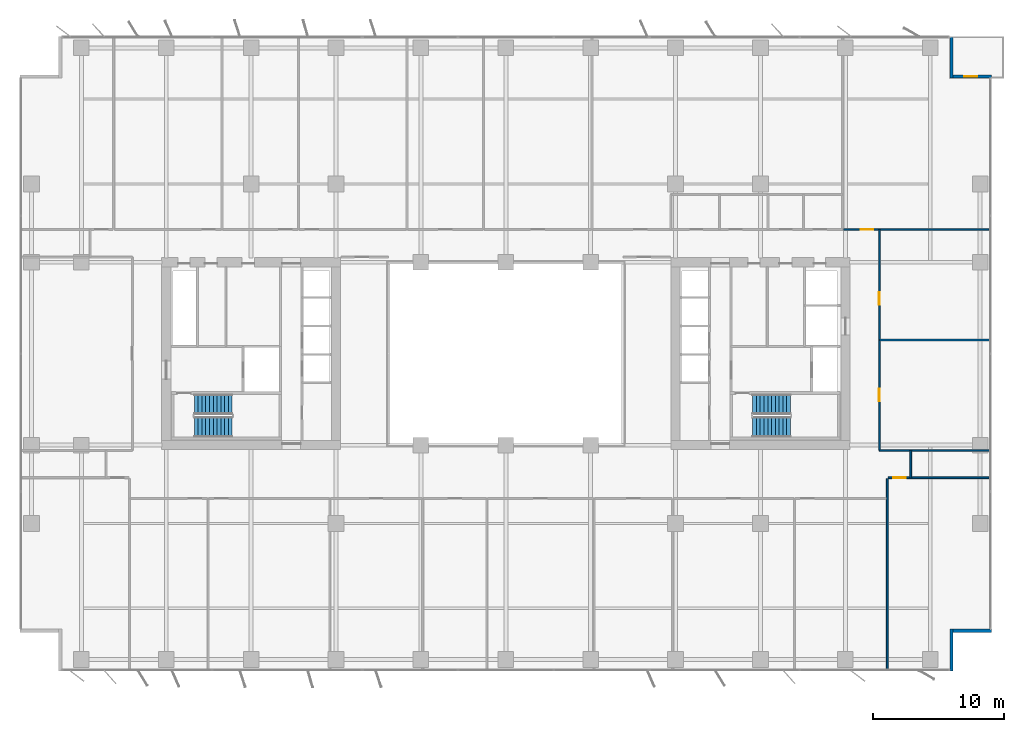
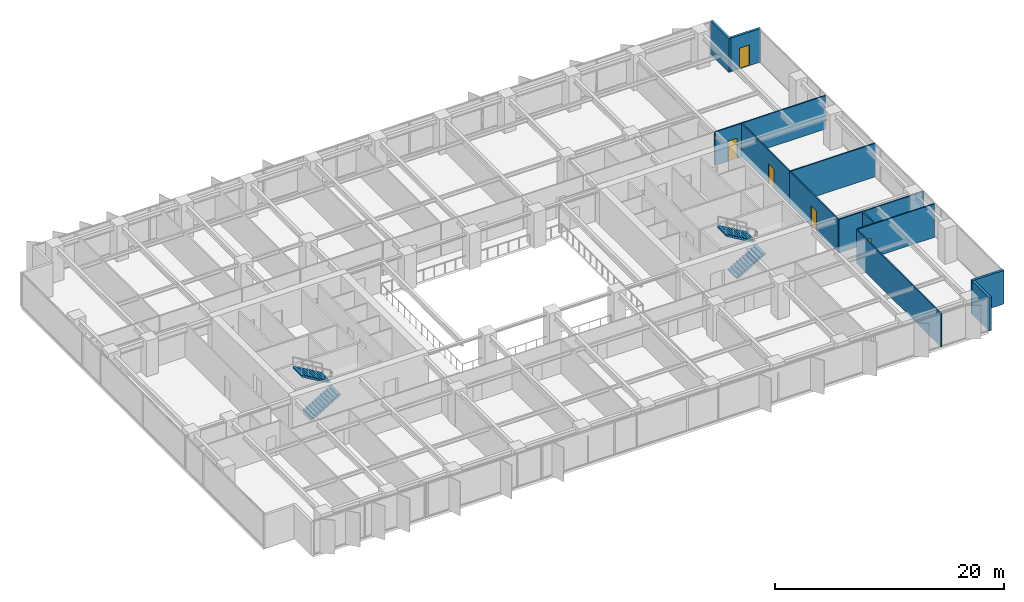
# One storey, part 16 of 20: 12 walls, 5 doors, 4 stair flights, 5 openings, 2 elements without a shape of their own.
"""IFC4 building model written with IfcOpenShell, lengths in metres."""

from ifc_helpers import new_model, si_unit, direction, frame, frame_2d, origin, place, context, subcontext, project, spatial, polyline, rectangle, outline, extrude, material, layer, layer_set, type_object, element, fill, aggregate, save


model = new_model("IFC4")

# Units and contexts
model_context = context("Model", 3, precision=1e-05, world=origin(), true_north=direction((0.0, 1.0)))
body_context = subcontext(model_context, "Body", "Model", "MODEL_VIEW")
ifc_project = project(units=[si_unit("LENGTHUNIT", "METRE"), si_unit("AREAUNIT", "SQUARE_METRE"), si_unit("VOLUMEUNIT", "CUBIC_METRE"), si_unit("PLANEANGLEUNIT", "RADIAN"), si_unit("MASSUNIT", "GRAM", prefix="KILO")], contexts=[model_context])

# Site, building, storey
site_placement = place(None, origin())
site = spatial("IfcSite", under=ifc_project, at=site_placement, CompositionType="ELEMENT")
building_placement = place(site_placement, origin())
building = spatial("IfcBuilding", under=site, at=building_placement, Name="Putna Gate Headquarters", CompositionType="ELEMENT")
storey_placement = place(building_placement, frame((0.0, 0.0, 127.800048828125)))
storey = spatial("IfcBuildingStorey", under=building, at=storey_placement, Name="L31", CompositionType="ELEMENT", Elevation=127.800048828125)

# Wall
ifc_material_1 = material(Name="Precast concrete C40/50", Category="concrete")
ifc_layer_1 = layer(ifc_material_1, 0.239990234375)
ifc_layer_set_1 = layer_set([ifc_layer_1], Name="Precast concrete C40/50")
wall_type_1 = type_object("IfcWallType", Name="WALL-EXT-TERR-240", PredefinedType="STANDARD", material=ifc_layer_set_1)
wall_1_placement = place(storey_placement, frame((73.1201171875, 50.300048828125, 0.0), z_axis=(0.0, 0.0, 1.0), x_axis=(0.0, -1.0, 0.0)))
element("IfcWall", 1, at=wall_1_placement, inside=storey, type_object=wall_type_1, Name="L31 Corner Notch Return Wall NE-V", PredefinedType="STANDARD", context=body_context, shape_type="SweptSolid", body=[
    extrude(rectangle(XDim=3.199951171875, YDim=0.239990234375, at=frame_2d((1.60009765625, 0.0))), origin(), (0.0, 0.0, 1.0), 3.56494140625),
])

# Wall, opening, door
wall_2_placement = place(storey_placement, frame((73.0, 47.219970703125, 0.0), z_axis=(0.0, 0.0, 1.0), x_axis=(1.0, 0.0, 0.0)))
wall_2 = element("IfcWall", 2, at=wall_2_placement, inside=storey, type_object=wall_type_1, Name="L31 Corner Notch Return Wall NE-H", PredefinedType="STANDARD", context=body_context, shape_type="SweptSolid", body=[
    extrude(rectangle(XDim=3.199951171875, YDim=0.239990234375, at=frame_2d((1.60009765625, 0.0))), origin(), (0.0, 0.0, 1.0), 3.56494140625),
])
opening_1_placement = place(wall_2_placement, frame((1.10009765625, 0.0, 0.0)))
opening_1 = element("IfcOpeningElement", 3, at=opening_1_placement, cuts=wall_2, Name="Opening TRD-1", PredefinedType="OPENING", context=body_context, shape_type="SweptSolid", body=[
    extrude(rectangle(XDim=1.0, YDim=2.199951171875, at=frame_2d((0.5, 1.10009765625))), frame((0.0, 0.1298828125, 0.0), z_axis=(0.0, -1.0, 0.0), x_axis=(1.0, 0.0, 0.0)), (0.0, 0.0, 1.0), 0.260009765625),
])
ifc_material_2 = material(Name="Thermally broken bronze glazed terrace door")
door_type_1 = type_object("IfcDoorType", Name="DOOR-TERR-EXT-1000", OperationType="NOTDEFINED", PredefinedType="DOOR", material=ifc_material_2)
door_1_placement = place(opening_1_placement, origin())
door_1 = element("IfcDoor", 4, at=door_1_placement, inside=storey, type_object=door_type_1, Name="L31 Spiral Sky Terrace Door NE", OperationType="SINGLE_SWING_LEFT", OverallHeight=2.199951171875, OverallWidth=1.0, PredefinedType="DOOR", context=body_context, shape_type="SweptSolid", body=[
    extrude(rectangle(XDim=1.0, YDim=2.199951171875, at=frame_2d((0.5, 1.10009765625))), frame((0.0, 0.02490234375, 0.0), z_axis=(0.0, -1.0, 0.0), x_axis=(1.0, 0.0, 0.0)), (0.0, 0.0, 1.0), 0.050048828125),
])
fill(opening_1, door_1)

# Walls
for number, where, z_axis, x_axis, name in (
    (5, (73.1201171875, 4.89990234375, 0.0), (0.0, 0.0, 1.0), (0.0, -1.0, 0.0), "L31 Corner Notch Return Wall SE-V"),
    (6, (76.199951171875, 4.780029296875, 0.0), (0.0, 0.0, 1.0), (-1.0, 0.0, 0.0), "L31 Corner Notch Return Wall SE-H"),
):
    element("IfcWall", number, at=place(storey_placement, frame(where, z_axis=z_axis, x_axis=x_axis)), inside=storey, type_object=wall_type_1, Name=name, PredefinedType="STANDARD", context=body_context, shape_type="SweptSolid", body=[
        extrude(rectangle(XDim=3.199951171875, YDim=0.239990234375, at=frame_2d((1.60009765625, 0.0))), origin(), (0.0, 0.0, 1.0), 3.56494140625),
    ])
ifc_material_3 = material(Name="Acoustic gypsum board on metal stud")
ifc_layer_2 = layer(ifc_material_3, 0.1201171875)
ifc_layer_set_2 = layer_set([ifc_layer_2], Name="Acoustic gypsum board on metal stud")
wall_type_2 = type_object("IfcWallType", Name="WALL-PART-120", PredefinedType="PARTITIONING", material=ifc_layer_set_2)
wall_3_placement = place(storey_placement, frame((68.208740234375, 1.719970703125, 0.0), z_axis=(0.0, 0.0, 1.0), x_axis=(0.0, 1.0, 0.0)))
element("IfcWall", 7, at=wall_3_placement, inside=storey, type_object=wall_type_2, Name="L31 Interior Wall PART-L31-SB-DIV-09", PredefinedType="PARTITIONING", context=body_context, shape_type="SweptSolid", body=[
    extrude(rectangle(XDim=14.719970703125, YDim=0.1201171875, at=frame_2d((7.35986328125, 0.0))), origin(), (0.0, 0.0, 1.0), 3.56494140625),
])
wall_4_placement = place(storey_placement, frame((67.60009765625, 27.050048828125, 0.0), z_axis=(0.0, 0.0, 1.0), x_axis=(1.0, 0.0, 0.0)))
element("IfcWall", 8, at=wall_4_placement, inside=storey, type_object=wall_type_2, Name="L31 Interior Wall PART-L31-EW-DIV-1", PredefinedType="PARTITIONING", context=body_context, shape_type="SweptSolid", body=[
    extrude(rectangle(XDim=8.579833984375, YDim=0.1201171875, at=frame_2d((4.2900390625, 0.0))), origin(), (0.0, 0.0, 1.0), 3.56494140625),
])
ifc_material_4 = material(Name="Fire-rated gypsum board on metal stud")
ifc_layer_3 = layer(ifc_material_4, 0.1201171875)
ifc_layer_set_3 = layer_set([ifc_layer_3], Name="Fire-rated gypsum board on metal stud")
wall_type_3 = type_object("IfcWallType", Name="WALL-PART-120-RATED", PredefinedType="PARTITIONING", material=ifc_layer_set_3)
wall_5_placement = place(storey_placement, frame((70.0087890625, 16.5, 0.0), z_axis=(0.0, 0.0, 1.0), x_axis=(0.0, 1.0, 0.0)))
element("IfcWall", 9, at=wall_5_placement, inside=storey, type_object=wall_type_3, Name="L31 Interior Wall PART-L31-CORRS-CAPE", PredefinedType="PARTITIONING", context=body_context, shape_type="SweptSolid", body=[
    extrude(rectangle(XDim=2.10009765625, YDim=0.1201171875, at=frame_2d((1.050048828125, 0.0))), origin(), (0.0, 0.0, 1.0), 3.56494140625),
])

# Wall, opening, door
wall_6_placement = place(storey_placement, frame((64.860107421875, 35.5, 0.0), z_axis=(0.0, 0.0, 1.0), x_axis=(1.0, 0.0, 0.0)))
wall_6 = element("IfcWall", 10, at=wall_6_placement, inside=storey, type_object=wall_type_3, Name="L31 Interior Wall PART-L31-NB-CW-08", PredefinedType="PARTITIONING", context=body_context, shape_type="SweptSolid", body=[
    extrude(rectangle(XDim=11.159912109375, YDim=0.1201171875, at=frame_2d((5.580078125, 0.0))), origin(), (0.0, 0.0, 1.0), 3.56494140625),
])
opening_2_placement = place(wall_6_placement, frame((1.31005859375, 0.0, 0.0)))
opening_2 = element("IfcOpeningElement", 11, at=opening_2_placement, cuts=wall_6, Name="Opening FD-95", PredefinedType="OPENING", context=body_context, shape_type="SweptSolid", body=[
    extrude(rectangle(XDim=0.949951171875, YDim=2.14990234375, at=frame_2d((0.47509765625, 1.074951171875))), frame((0.0, 0.070068359375, 0.0), z_axis=(0.0, -1.0, 0.0), x_axis=(1.0, 0.0, 0.0)), (0.0, 0.0, 1.0), 0.14013671875),
])
ifc_material_5 = material(Name="Acoustic timber fire door", Category="wood")
door_type_2 = type_object("IfcDoorType", Name="DOOR-FIRE-950", OperationType="NOTDEFINED", PredefinedType="DOOR", material=ifc_material_5)
door_2_placement = place(opening_2_placement, origin())
door_2 = element("IfcDoor", 12, at=door_2_placement, inside=storey, type_object=door_type_2, Name="L31 Collaborative Breakout Lounge 1 Door", OperationType="SINGLE_SWING_RIGHT", OverallHeight=2.14990234375, OverallWidth=0.949951171875, PredefinedType="DOOR", context=body_context, shape_type="SweptSolid", body=[
    extrude(rectangle(XDim=0.949951171875, YDim=2.14990234375, at=frame_2d((0.47509765625, 1.074951171875))), frame((0.0, 0.02490234375, 0.0), z_axis=(0.0, -1.0, 0.0), x_axis=(1.0, 0.0, 0.0)), (0.0, 0.0, 1.0), 0.050048828125),
])
fill(opening_2, door_2)

wall_7_placement = place(storey_placement, frame((68.268798828125, 16.5, 0.0), z_axis=(0.0, 0.0, 1.0), x_axis=(1.0, 0.0, 0.0)))
wall_7 = element("IfcWall", 13, at=wall_7_placement, inside=storey, type_object=wall_type_3, Name="L31 Interior Wall PART-L31-SB-CW-10", PredefinedType="PARTITIONING", context=body_context, shape_type="SweptSolid", body=[
    extrude(rectangle(XDim=7.751220703125, YDim=0.1201171875, at=frame_2d((3.87548828125, 0.0))), origin(), (0.0, 0.0, 1.0), 3.56494140625),
])
opening_3_placement = place(wall_7_placement, frame((0.39501953125, 0.0, 0.0)))
opening_3 = element("IfcOpeningElement", 14, at=opening_3_placement, cuts=wall_7, Name="Opening FD-95", PredefinedType="OPENING", context=body_context, shape_type="SweptSolid", body=[
    extrude(rectangle(XDim=0.949951171875, YDim=2.14990234375, at=frame_2d((0.47509765625, 1.074951171875))), frame((0.0, 0.070068359375, 0.0), z_axis=(0.0, -1.0, 0.0), x_axis=(1.0, 0.0, 0.0)), (0.0, 0.0, 1.0), 0.14013671875),
])
door_3_placement = place(opening_3_placement, origin())
door_3 = element("IfcDoor", 15, at=door_3_placement, inside=storey, type_object=door_type_2, Name="L31 Collaborative Breakout Lounge 3 Door", OperationType="SINGLE_SWING_RIGHT", OverallHeight=2.14990234375, OverallWidth=0.949951171875, PredefinedType="DOOR", context=body_context, shape_type="SweptSolid", body=[
    extrude(rectangle(XDim=0.949951171875, YDim=2.14990234375, at=frame_2d((0.47509765625, 1.074951171875))), frame((0.0, 0.02490234375, 0.0), z_axis=(0.0, -1.0, 0.0), x_axis=(1.0, 0.0, 0.0)), (0.0, 0.0, 1.0), 0.050048828125),
])
fill(opening_3, door_3)

# Wall
wall_8_placement = place(storey_placement, frame((67.60009765625, 18.60009765625, 0.0), z_axis=(0.0, 0.0, 1.0), x_axis=(1.0, 0.0, 0.0)))
element("IfcWall", 16, at=wall_8_placement, inside=storey, type_object=wall_type_3, Name="L31 Interior Wall PART-L31-EW-S-BOUND", PredefinedType="PARTITIONING", context=body_context, shape_type="SweptSolid", body=[
    extrude(rectangle(XDim=8.579833984375, YDim=0.1201171875, at=frame_2d((4.2900390625, 0.0))), origin(), (0.0, 0.0, 1.0), 3.56494140625),
])

# Wall, opening, door
wall_9_placement = place(storey_placement, frame((67.60009765625, 18.60009765625, 0.0), z_axis=(0.0, 0.0, 1.0), x_axis=(0.0, 1.0, 0.0)))
wall_9 = element("IfcWall", 17, at=wall_9_placement, inside=storey, type_object=wall_type_3, Name="L31 Interior Wall PART-L31-EW-CW-1", PredefinedType="PARTITIONING", context=body_context, shape_type="SweptSolid", body=[
    extrude(rectangle(XDim=8.449951171875, YDim=0.1201171875, at=frame_2d((4.22509765625, 0.0))), origin(), (0.0, 0.0, 1.0), 3.56494140625),
])
opening_4_placement = place(wall_9_placement, frame((3.75, 0.0, 0.0)))
opening_4 = element("IfcOpeningElement", 18, at=opening_4_placement, cuts=wall_9, Name="Opening FD-95", PredefinedType="OPENING", context=body_context, shape_type="SweptSolid", body=[
    extrude(rectangle(XDim=0.949951171875, YDim=2.14990234375, at=frame_2d((0.47509765625, 1.074951171875))), frame((0.0, 0.070068359375, 0.0), z_axis=(0.0, -1.0, 0.0), x_axis=(1.0, 0.0, 0.0)), (0.0, 0.0, 1.0), 0.14013671875),
])
door_4_placement = place(opening_4_placement, origin())
door_4 = element("IfcDoor", 19, at=door_4_placement, inside=storey, type_object=door_type_2, Name="L31 East Horizon Conference Room 1 Door", OperationType="SINGLE_SWING_RIGHT", OverallHeight=2.14990234375, OverallWidth=0.949951171875, PredefinedType="DOOR", context=body_context, shape_type="SweptSolid", body=[
    extrude(rectangle(XDim=0.949951171875, YDim=2.14990234375, at=frame_2d((0.47509765625, 1.074951171875))), frame((0.0, 0.02490234375, 0.0), z_axis=(0.0, -1.0, 0.0), x_axis=(1.0, 0.0, 0.0)), (0.0, 0.0, 1.0), 0.050048828125),
])
fill(opening_4, door_4)

wall_10_placement = place(storey_placement, frame((67.60009765625, 27.050048828125, 0.0), z_axis=(0.0, 0.0, 1.0), x_axis=(0.0, 1.0, 0.0)))
wall_10 = element("IfcWall", 20, at=wall_10_placement, inside=storey, type_object=wall_type_3, Name="L31 Interior Wall PART-L31-EW-CW-2", PredefinedType="PARTITIONING", context=body_context, shape_type="SweptSolid", body=[
    extrude(rectangle(XDim=8.449951171875, YDim=0.1201171875, at=frame_2d((4.22509765625, 0.0))), origin(), (0.0, 0.0, 1.0), 3.56494140625),
])
opening_5_placement = place(wall_10_placement, frame((2.699951171875, 0.0, 0.0)))
opening_5 = element("IfcOpeningElement", 21, at=opening_5_placement, cuts=wall_10, Name="Opening FD-95", PredefinedType="OPENING", context=body_context, shape_type="SweptSolid", body=[
    extrude(rectangle(XDim=0.949951171875, YDim=2.14990234375, at=frame_2d((0.47509765625, 1.074951171875))), frame((0.0, 0.070068359375, 0.0), z_axis=(0.0, -1.0, 0.0), x_axis=(1.0, 0.0, 0.0)), (0.0, 0.0, 1.0), 0.14013671875),
])
door_5_placement = place(opening_5_placement, origin())
door_5 = element("IfcDoor", 22, at=door_5_placement, inside=storey, type_object=door_type_2, Name="L31 East Horizon Conference Room 2 Door", OperationType="SINGLE_SWING_LEFT", OverallHeight=2.14990234375, OverallWidth=0.949951171875, PredefinedType="DOOR", context=body_context, shape_type="SweptSolid", body=[
    extrude(rectangle(XDim=0.949951171875, YDim=2.14990234375, at=frame_2d((0.47509765625, 1.074951171875))), frame((0.0, 0.02490234375, 0.0), z_axis=(0.0, -1.0, 0.0), x_axis=(1.0, 0.0, 0.0)), (0.0, 0.0, 1.0), 0.050048828125),
])
fill(opening_5, door_5)

# Stair, stair flights
ifc_material_6 = material(Name="Concrete C40/50", Category="concrete")
stair_type_1 = type_object("IfcStairType", Name="STAIR-ST1", PredefinedType="HALF_TURN_STAIR", material=ifc_material_6)
stair_1_placement = place(storey_placement, origin())
stair_1 = element("IfcStair", 23, at=stair_1_placement, inside=storey, type_object=stair_type_1, Name="L31 West Core Exit Stair ST1", PredefinedType="HALF_TURN_STAIR")
stair_flight_type_1 = type_object("IfcStairFlightType", Name="FLIGHT-ST1", PredefinedType="STRAIGHT", material=ifc_material_6)
stair_flight_1_placement = place(storey_placement, frame((15.14990234375, 20.375, 0.0), z_axis=(0.0, 0.0, 1.0), x_axis=(1.0, 0.0, 0.0)))
stair_flight_1 = element("IfcStairFlight", 24, at=stair_flight_1_placement, type_object=stair_flight_type_1, Name="ST1 flight 1", NumberOfRisers=11, NumberOfTreads=10, PredefinedType="STRAIGHT", RiserHeight=0.172727273, TreadLength=0.29, context=body_context, shape_type="SweptSolid", body=[
    extrude(outline(polyline([(0.0, 0.0), (0.0, 0.172607421875), (0.2900390625, 0.172607421875), (0.2900390625, 0.345458984375), (0.580078125, 0.345458984375), (0.580078125, 0.51806640625), (0.8701171875, 0.51806640625), (0.8701171875, 0.69091796875), (1.159912109375, 0.69091796875), (1.159912109375, 0.863525390625), (1.449951171875, 0.863525390625), (1.449951171875, 1.036376953125), (1.739990234375, 1.036376953125), (1.739990234375, 1.208984375), (2.030029296875, 1.208984375), (2.030029296875, 1.3818359375), (2.320068359375, 1.3818359375), (2.320068359375, 1.554443359375), (2.610107421875, 1.554443359375), (2.610107421875, 1.727294921875), (2.89990234375, 1.727294921875), (2.89990234375, 1.89990234375), (2.89990234375, 1.552734375), (0.29296875, 0.0), (0.0, 0.0)])), frame((0.0, 0.77490234375, 0.0), z_axis=(0.0, -1.0, 0.0), x_axis=(1.0, 0.0, 0.0)), (0.0, 0.0, 1.0), 1.550048828125),
])
stair_flight_2_placement = place(storey_placement, frame((18.050048828125, 22.125, 1.89990234375), z_axis=(0.0, 0.0, 1.0), x_axis=(-1.0, 0.0, 0.0)))
stair_flight_2 = element("IfcStairFlight", 25, at=stair_flight_2_placement, type_object=stair_flight_type_1, Name="ST1 flight 2", NumberOfRisers=11, NumberOfTreads=10, PredefinedType="STRAIGHT", RiserHeight=0.172727273, TreadLength=0.29, context=body_context, shape_type="SweptSolid", body=[
    extrude(outline(polyline([(0.0, 0.0), (0.0, 0.172607421875), (0.2900390625, 0.172607421875), (0.2900390625, 0.345458984375), (0.580078125, 0.345458984375), (0.580078125, 0.51806640625), (0.8701171875, 0.51806640625), (0.8701171875, 0.69091796875), (1.159912109375, 0.69091796875), (1.159912109375, 0.863525390625), (1.449951171875, 0.863525390625), (1.449951171875, 1.036376953125), (1.739990234375, 1.036376953125), (1.739990234375, 1.208984375), (2.030029296875, 1.208984375), (2.030029296875, 1.3818359375), (2.320068359375, 1.3818359375), (2.320068359375, 1.554443359375), (2.610107421875, 1.554443359375), (2.610107421875, 1.727294921875), (2.89990234375, 1.727294921875), (2.89990234375, 1.89990234375), (2.89990234375, 1.552734375), (0.29296875, 0.0), (0.0, 0.0)])), frame((0.0, 0.77490234375, 0.0), z_axis=(0.0, -1.0, 0.0), x_axis=(1.0, 0.0, 0.0)), (0.0, 0.0, 1.0), 1.550048828125),
])
aggregate(stair_1, [stair_flight_1, stair_flight_2])

stair_type_2 = type_object("IfcStairType", Name="STAIR-ST2", PredefinedType="HALF_TURN_STAIR", material=ifc_material_6)
stair_2_placement = place(storey_placement, origin())
stair_2 = element("IfcStair", 26, at=stair_2_placement, inside=storey, type_object=stair_type_2, Name="L31 East Core Exit Stair ST2", PredefinedType="HALF_TURN_STAIR")
stair_flight_type_2 = type_object("IfcStairFlightType", Name="FLIGHT-ST2", PredefinedType="STRAIGHT", material=ifc_material_6)
stair_flight_3_placement = place(storey_placement, frame((57.89990234375, 20.375, 0.0), z_axis=(0.0, 0.0, 1.0), x_axis=(1.0, 0.0, 0.0)))
stair_flight_3 = element("IfcStairFlight", 27, at=stair_flight_3_placement, type_object=stair_flight_type_2, Name="ST2 flight 1", NumberOfRisers=11, NumberOfTreads=10, PredefinedType="STRAIGHT", RiserHeight=0.172727273, TreadLength=0.29, context=body_context, shape_type="SweptSolid", body=[
    extrude(outline(polyline([(0.0, 0.0), (0.0, 0.172607421875), (0.2900390625, 0.172607421875), (0.2900390625, 0.345458984375), (0.580078125, 0.345458984375), (0.580078125, 0.51806640625), (0.8701171875, 0.51806640625), (0.8701171875, 0.69091796875), (1.159912109375, 0.69091796875), (1.159912109375, 0.863525390625), (1.449951171875, 0.863525390625), (1.449951171875, 1.036376953125), (1.739990234375, 1.036376953125), (1.739990234375, 1.208984375), (2.030029296875, 1.208984375), (2.030029296875, 1.3818359375), (2.320068359375, 1.3818359375), (2.320068359375, 1.554443359375), (2.610107421875, 1.554443359375), (2.610107421875, 1.727294921875), (2.89990234375, 1.727294921875), (2.89990234375, 1.89990234375), (2.89990234375, 1.552734375), (0.29296875, 0.0), (0.0, 0.0)])), frame((0.0, 0.77490234375, 0.0), z_axis=(0.0, -1.0, 0.0), x_axis=(1.0, 0.0, 0.0)), (0.0, 0.0, 1.0), 1.550048828125),
])
stair_flight_4_placement = place(storey_placement, frame((60.800048828125, 22.125, 1.89990234375), z_axis=(0.0, 0.0, 1.0), x_axis=(-1.0, 0.0, 0.0)))
stair_flight_4 = element("IfcStairFlight", 28, at=stair_flight_4_placement, type_object=stair_flight_type_2, Name="ST2 flight 2", NumberOfRisers=11, NumberOfTreads=10, PredefinedType="STRAIGHT", RiserHeight=0.172727273, TreadLength=0.29, context=body_context, shape_type="SweptSolid", body=[
    extrude(outline(polyline([(0.0, 0.0), (0.0, 0.172607421875), (0.2900390625, 0.172607421875), (0.2900390625, 0.345458984375), (0.580078125, 0.345458984375), (0.580078125, 0.51806640625), (0.8701171875, 0.51806640625), (0.8701171875, 0.69091796875), (1.159912109375, 0.69091796875), (1.159912109375, 0.863525390625), (1.449951171875, 0.863525390625), (1.449951171875, 1.036376953125), (1.739990234375, 1.036376953125), (1.739990234375, 1.208984375), (2.030029296875, 1.208984375), (2.030029296875, 1.3818359375), (2.320068359375, 1.3818359375), (2.320068359375, 1.554443359375), (2.610107421875, 1.554443359375), (2.610107421875, 1.727294921875), (2.89990234375, 1.727294921875), (2.89990234375, 1.89990234375), (2.89990234375, 1.552734375), (0.29296875, 0.0), (0.0, 0.0)])), frame((0.0, 0.77490234375, 0.0), z_axis=(0.0, -1.0, 0.0), x_axis=(1.0, 0.0, 0.0)), (0.0, 0.0, 1.0), 1.550048828125),
])
aggregate(stair_2, [stair_flight_3, stair_flight_4])

save(model, "model.ifc")
